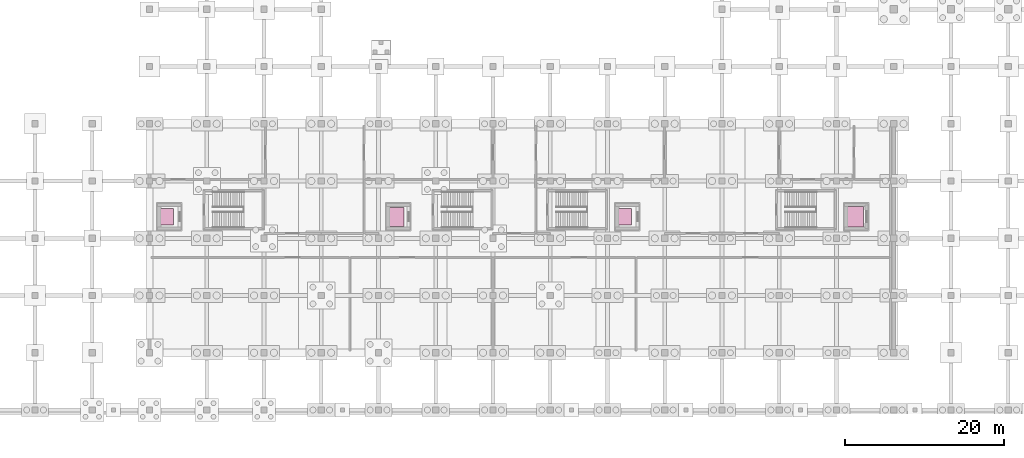
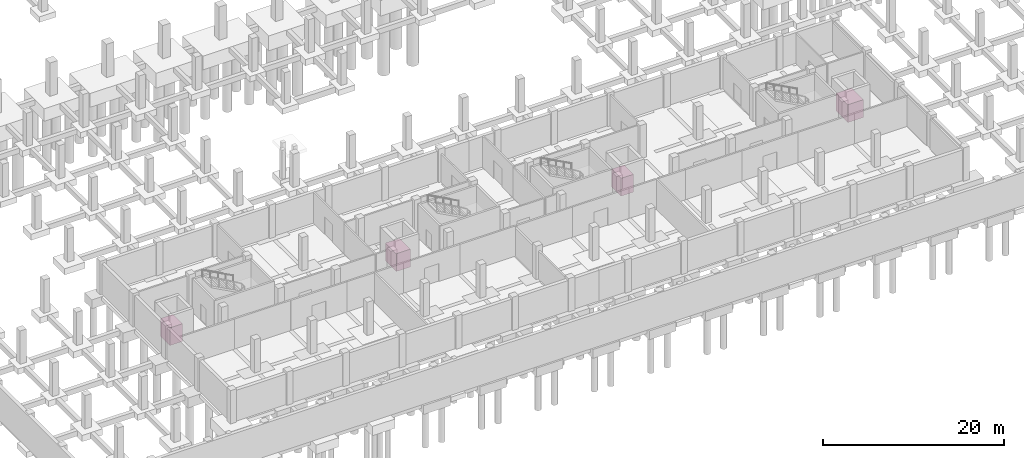
# One storey, part 22 of 22: 4 transport elements.
"""IFC4 building model written with IfcOpenShell, lengths in metres."""

from ifc_helpers import new_model, si_unit, direction, frame, origin, origin_2d, place, context, subcontext, project, spatial, rectangle, extrude, material, type_object, element, save


model = new_model("IFC4")

# Units and contexts
model_context = context("Model", 3, precision=1e-05, world=origin(), true_north=direction((0.0, 1.0)))
body_context = subcontext(model_context, "Body", "Model", "MODEL_VIEW")
ifc_project = project(units=[si_unit("LENGTHUNIT", "METRE"), si_unit("AREAUNIT", "SQUARE_METRE"), si_unit("VOLUMEUNIT", "CUBIC_METRE"), si_unit("PLANEANGLEUNIT", "RADIAN"), si_unit("MASSUNIT", "GRAM", prefix="KILO")], contexts=[model_context])

# Site, building, storey
site_placement = place(None, origin())
site = spatial("IfcSite", under=ifc_project, at=site_placement, CompositionType="ELEMENT")
building_placement = place(site_placement, origin())
building = spatial("IfcBuilding", under=site, at=building_placement, Name="Sardonyx Promenade Sports Hall", CompositionType="ELEMENT")
storey_placement = place(building_placement, frame((0.0, 0.0, -4.5)))
storey = spatial("IfcBuildingStorey", under=building, at=storey_placement, Name="B1", CompositionType="ELEMENT", Elevation=-4.5)

# Transport elements
ifc_material_1 = material(Name="Brushed stainless steel lift car", Category="steel")
transport_element_type_1 = type_object("IfcTransportElementType", Name="Lift_LF1", PredefinedType="ELEVATOR", material=ifc_material_1)
transport_element_1_placement = place(storey_placement, frame((23.7900390625, 24.300048828125, 0.0), z_axis=(0.0, 0.0, 1.0), x_axis=(1.0, 0.0, 0.0)))
element("IfcTransportElement", 1, at=transport_element_1_placement, inside=storey, type_object=transport_element_type_1, Name="Elevator LF1 (B1, L00, L01, L02, L03, L04)", PredefinedType="ELEVATOR", context=body_context, shape_type="SweptSolid", body=[
    extrude(rectangle(XDim=1.60009765625, YDim=2.10009765625, at=origin_2d()), origin(), (0.0, 0.0, 1.0), 2.39990234375),
])
ifc_material_2 = material(Name="Brushed stainless steel lift car", Category="steel")
transport_element_type_2 = type_object("IfcTransportElementType", Name="Lift_LF2", PredefinedType="ELEVATOR", material=ifc_material_2)
transport_element_2_placement = place(storey_placement, frame((81.389892578125, 24.300048828125, 0.0), z_axis=(0.0, 0.0, 1.0), x_axis=(1.0, 0.0, 0.0)))
element("IfcTransportElement", 2, at=transport_element_2_placement, inside=storey, type_object=transport_element_type_2, Name="Elevator LF2 (B1, L00, L01, L02, L03)", PredefinedType="ELEVATOR", context=body_context, shape_type="SweptSolid", body=[
    extrude(rectangle(XDim=1.60009765625, YDim=2.10009765625, at=origin_2d()), origin(), (0.0, 0.0, 1.0), 2.39990234375),
])
ifc_material_3 = material(Name="Brushed stainless steel lift car", Category="steel")
transport_element_type_3 = type_object("IfcTransportElementType", Name="Lift_LF3", PredefinedType="ELEVATOR", material=ifc_material_3)
transport_element_3_placement = place(storey_placement, frame((52.68994140625, 24.300048828125, 0.0), z_axis=(0.0, 0.0, 1.0), x_axis=(1.0, 0.0, 0.0)))
element("IfcTransportElement", 3, at=transport_element_3_placement, inside=storey, type_object=transport_element_type_3, Name="Elevator LF3 (B1, L00, L01, L02, L03, L04)", PredefinedType="ELEVATOR", context=body_context, shape_type="SweptSolid", body=[
    extrude(rectangle(XDim=1.800048828125, YDim=2.39990234375, at=origin_2d()), origin(), (0.0, 0.0, 1.0), 2.39990234375),
])
ifc_material_4 = material(Name="Brushed stainless steel lift car", Category="steel")
transport_element_type_4 = type_object("IfcTransportElementType", Name="Lift_LF4", PredefinedType="ELEVATOR", material=ifc_material_4)
transport_element_4_placement = place(storey_placement, frame((110.389892578125, 24.300048828125, 0.0), z_axis=(0.0, 0.0, 1.0), x_axis=(1.0, 0.0, 0.0)))
element("IfcTransportElement", 4, at=transport_element_4_placement, inside=storey, type_object=transport_element_type_4, Name="Elevator LF4 (B1, L00, L01, L02)", PredefinedType="ELEVATOR", context=body_context, shape_type="SweptSolid", body=[
    extrude(rectangle(XDim=2.0, YDim=2.60009765625, at=origin_2d()), origin(), (0.0, 0.0, 1.0), 2.39990234375),
])

save(model, "model.ifc")
